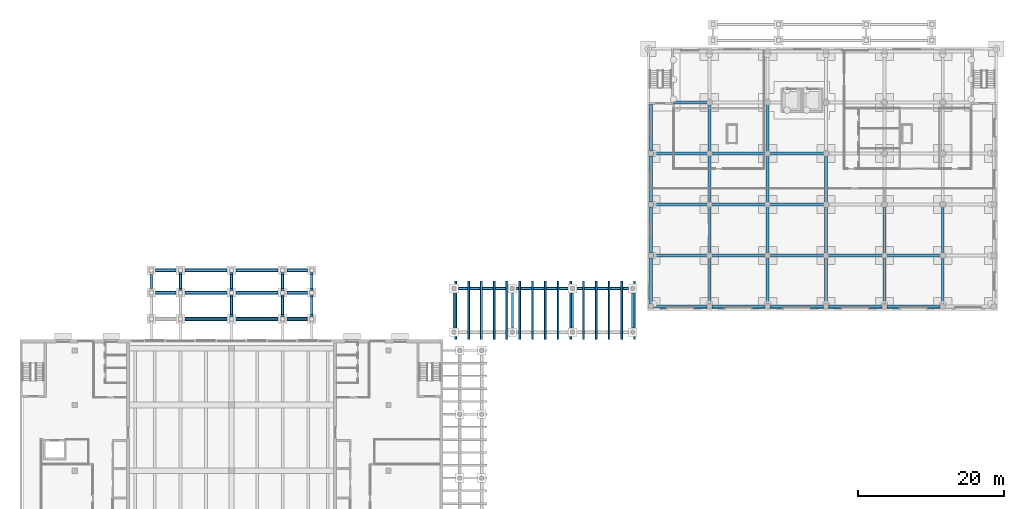
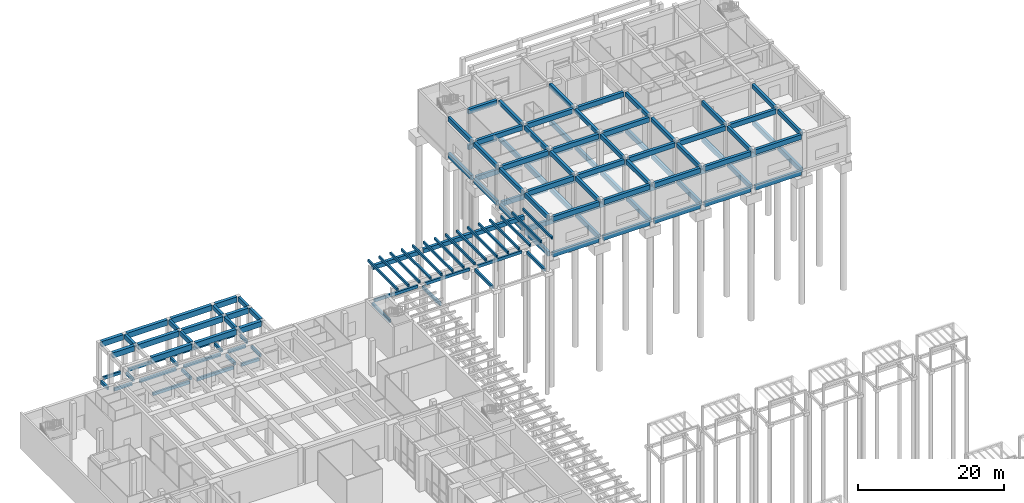
# One storey, part 22 of 51: 134 beams.
"""IFC4 building model written with IfcOpenShell, lengths in metres."""

from ifc_helpers import new_model, si_unit, direction, frame, origin, origin_2d, place, context, subcontext, project, spatial, rectangle, extrude, material, material_profile, profile_set, type_object, element, save


model = new_model("IFC4")

# Units and contexts
model_context = context("Model", 3, precision=1e-05, world=origin(), true_north=direction((0.0, 1.0)))
body_context = subcontext(model_context, "Body", "Model", "MODEL_VIEW")
ifc_project = project(units=[si_unit("LENGTHUNIT", "METRE"), si_unit("AREAUNIT", "SQUARE_METRE"), si_unit("VOLUMEUNIT", "CUBIC_METRE"), si_unit("PLANEANGLEUNIT", "RADIAN"), si_unit("MASSUNIT", "GRAM", prefix="KILO")], contexts=[model_context])

# Site, building, storey
site_placement = place(None, origin())
site = spatial("IfcSite", under=ifc_project, at=site_placement, CompositionType="ELEMENT")
building_placement = place(site_placement, origin())
building = spatial("IfcBuilding", under=site, at=building_placement, Name="Elmora Arch Market Hall", CompositionType="ELEMENT")
storey_placement = place(building_placement, origin())
storey = spatial("IfcBuildingStorey", under=building, at=storey_placement, Name="L00", CompositionType="ELEMENT", Elevation=0.0)

# Beams
ifc_material_1 = material(Name="Concrete C32/40", Category="concrete")
ifc_material_profile_1 = material_profile(ifc_material_1, rectangle(XDim=0.39990234375, YDim=0.699951171875, at=origin_2d()), Name="Canopy beam 400x700")
ifc_profile_set_1 = profile_set([ifc_material_profile_1], Name="Concrete C32/40")
beam_type_1 = type_object("IfcBeamType", Name="Canopy beam 400x700", PredefinedType="BEAM", material=ifc_profile_set_1)
beam_1_placement = place(storey_placement, frame((22.0, 132.699951171875, 5.449951171875), z_axis=(0.0, 1.0, 0.0), x_axis=(-1.0, 0.0, 0.0)))
element("IfcBeam", 1, at=beam_1_placement, inside=storey, type_object=beam_type_1, Name="Canopy beam CAN-GATE-B2 L00.3", PredefinedType="BEAM", context=body_context, shape_type="SweptSolid", body=[
    extrude(rectangle(XDim=0.39990234375, YDim=0.699951171875, at=origin_2d()), origin(), (0.0, 0.0, 1.0), 2.5),
])
beam_2_placement = place(storey_placement, frame((29.0, 129.10009765625, 5.449951171875), z_axis=(0.0, 1.0, 0.0), x_axis=(-1.0, 0.0, 0.0)))
element("IfcBeam", 2, at=beam_2_placement, inside=storey, type_object=beam_type_1, Name="Canopy beam CAN-GATE-B3 L00.2", PredefinedType="BEAM", context=body_context, shape_type="SweptSolid", body=[
    extrude(rectangle(XDim=0.39990234375, YDim=0.699951171875, at=origin_2d()), origin(), (0.0, 0.0, 1.0), 3.0),
])
beam_3_placement = place(storey_placement, frame((29.0, 132.699951171875, 5.449951171875), z_axis=(0.0, 1.0, 0.0), x_axis=(-1.0, 0.0, 0.0)))
element("IfcBeam", 3, at=beam_3_placement, inside=storey, type_object=beam_type_1, Name="Canopy beam CAN-GATE-B3 L00.3", PredefinedType="BEAM", context=body_context, shape_type="SweptSolid", body=[
    extrude(rectangle(XDim=0.39990234375, YDim=0.699951171875, at=origin_2d()), origin(), (0.0, 0.0, 1.0), 2.5),
])
beam_4_placement = place(storey_placement, frame((36.0, 129.10009765625, 5.449951171875), z_axis=(0.0, 1.0, 0.0), x_axis=(-1.0, 0.0, 0.0)))
element("IfcBeam", 4, at=beam_4_placement, inside=storey, type_object=beam_type_1, Name="Canopy beam CAN-GATE-B4 L00.2", PredefinedType="BEAM", context=body_context, shape_type="SweptSolid", body=[
    extrude(rectangle(XDim=0.39990234375, YDim=0.699951171875, at=origin_2d()), origin(), (0.0, 0.0, 1.0), 3.0),
])
beam_5_placement = place(storey_placement, frame((36.0, 132.699951171875, 5.449951171875), z_axis=(0.0, 1.0, 0.0), x_axis=(-1.0, 0.0, 0.0)))
element("IfcBeam", 5, at=beam_5_placement, inside=storey, type_object=beam_type_1, Name="Canopy beam CAN-GATE-B4 L00.3", PredefinedType="BEAM", context=body_context, shape_type="SweptSolid", body=[
    extrude(rectangle(XDim=0.39990234375, YDim=0.699951171875, at=origin_2d()), origin(), (0.0, 0.0, 1.0), 2.5),
])
beam_6_placement = place(storey_placement, frame((40.0, 129.10009765625, 5.449951171875), z_axis=(0.0, 1.0, 0.0), x_axis=(-1.0, 0.0, 0.0)))
element("IfcBeam", 6, at=beam_6_placement, inside=storey, type_object=beam_type_1, Name="Canopy beam CAN-GATE-B5 L00.2", PredefinedType="BEAM", context=body_context, shape_type="SweptSolid", body=[
    extrude(rectangle(XDim=0.39990234375, YDim=0.699951171875, at=origin_2d()), origin(), (0.0, 0.0, 1.0), 3.0),
])
beam_7_placement = place(storey_placement, frame((40.0, 132.699951171875, 5.449951171875), z_axis=(0.0, 1.0, 0.0), x_axis=(-1.0, 0.0, 0.0)))
element("IfcBeam", 7, at=beam_7_placement, inside=storey, type_object=beam_type_1, Name="Canopy beam CAN-GATE-B5 L00.3", PredefinedType="BEAM", context=body_context, shape_type="SweptSolid", body=[
    extrude(rectangle(XDim=0.39990234375, YDim=0.699951171875, at=origin_2d()), origin(), (0.0, 0.0, 1.0), 2.5),
])
ifc_material_2 = material(Name="Concrete C32/40", Category="concrete")
ifc_material_profile_2 = material_profile(ifc_material_2, rectangle(XDim=0.5, YDim=0.89990234375, at=origin_2d()), Name="Canopy girder 500x900")
ifc_profile_set_2 = profile_set([ifc_material_profile_2], Name="Concrete C32/40")
beam_type_2 = type_object("IfcBeamType", Name="Canopy girder 500x900", PredefinedType="BEAM", material=ifc_profile_set_2)
for number, where, z_axis, x_axis, name in (
    (8, (22.300048828125, 128.800048828125, 5.35009765625), (1.0, 0.0, 0.0), (0.0, 1.0, 0.0), "Canopy girder CAN-GATE-G1 L00.2"),
    (9, (29.300048828125, 128.800048828125, 5.35009765625), (1.0, 0.0, 0.0), (0.0, 1.0, 0.0), "Canopy girder CAN-GATE-G1 L00.3"),
):
    element("IfcBeam", number, at=place(storey_placement, frame(where, z_axis=z_axis, x_axis=x_axis)), inside=storey, type_object=beam_type_2, Name=name, PredefinedType="BEAM", context=body_context, shape_type="SweptSolid", body=[
        extrude(rectangle(XDim=0.5, YDim=0.89990234375, at=origin_2d()), origin(), (0.0, 0.0, 1.0), 6.39990234375),
    ])
for number, where, z_axis, x_axis, name in (
    (10, (36.300048828125, 128.800048828125, 5.35009765625), (1.0, 0.0, 0.0), (0.0, 1.0, 0.0), "Canopy girder CAN-GATE-G1 L00.4"),
    (11, (18.300048828125, 132.39990234375, 5.35009765625), (1.0, 0.0, 0.0), (0.0, 1.0, 0.0), "Canopy girder CAN-GATE-G2 L00.1"),
):
    element("IfcBeam", number, at=place(storey_placement, frame(where, z_axis=z_axis, x_axis=x_axis)), inside=storey, type_object=beam_type_2, Name=name, PredefinedType="BEAM", context=body_context, shape_type="SweptSolid", body=[
        extrude(rectangle(XDim=0.5, YDim=0.89990234375, at=origin_2d()), origin(), (0.0, 0.0, 1.0), 3.39990234375),
    ])
for number, where, z_axis, x_axis, name in (
    (12, (22.300048828125, 132.39990234375, 5.35009765625), (1.0, 0.0, 0.0), (0.0, 1.0, 0.0), "Canopy girder CAN-GATE-G2 L00.2"),
    (13, (29.300048828125, 132.39990234375, 5.35009765625), (1.0, 0.0, 0.0), (0.0, 1.0, 0.0), "Canopy girder CAN-GATE-G2 L00.3"),
):
    element("IfcBeam", number, at=place(storey_placement, frame(where, z_axis=z_axis, x_axis=x_axis)), inside=storey, type_object=beam_type_2, Name=name, PredefinedType="BEAM", context=body_context, shape_type="SweptSolid", body=[
        extrude(rectangle(XDim=0.5, YDim=0.89990234375, at=origin_2d()), origin(), (0.0, 0.0, 1.0), 6.39990234375),
    ])
for number, where, z_axis, x_axis, name in (
    (14, (36.300048828125, 132.39990234375, 5.35009765625), (1.0, 0.0, 0.0), (0.0, 1.0, 0.0), "Canopy girder CAN-GATE-G2 L00.4"),
    (15, (18.300048828125, 135.5, 5.35009765625), (1.0, 0.0, 0.0), (0.0, 1.0, 0.0), "Canopy girder CAN-GATE-G3 L00.1"),
):
    element("IfcBeam", number, at=place(storey_placement, frame(where, z_axis=z_axis, x_axis=x_axis)), inside=storey, type_object=beam_type_2, Name=name, PredefinedType="BEAM", context=body_context, shape_type="SweptSolid", body=[
        extrude(rectangle(XDim=0.5, YDim=0.89990234375, at=origin_2d()), origin(), (0.0, 0.0, 1.0), 3.39990234375),
    ])
for number, where, z_axis, x_axis, name in (
    (16, (22.300048828125, 135.5, 5.35009765625), (1.0, 0.0, 0.0), (0.0, 1.0, 0.0), "Canopy girder CAN-GATE-G3 L00.2"),
    (17, (29.300048828125, 135.5, 5.35009765625), (1.0, 0.0, 0.0), (0.0, 1.0, 0.0), "Canopy girder CAN-GATE-G3 L00.3"),
):
    element("IfcBeam", number, at=place(storey_placement, frame(where, z_axis=z_axis, x_axis=x_axis)), inside=storey, type_object=beam_type_2, Name=name, PredefinedType="BEAM", context=body_context, shape_type="SweptSolid", body=[
        extrude(rectangle(XDim=0.5, YDim=0.89990234375, at=origin_2d()), origin(), (0.0, 0.0, 1.0), 6.39990234375),
    ])
beam_8_placement = place(storey_placement, frame((36.300048828125, 135.5, 5.35009765625), z_axis=(1.0, 0.0, 0.0), x_axis=(0.0, 1.0, 0.0)))
element("IfcBeam", 18, at=beam_8_placement, inside=storey, type_object=beam_type_2, Name="Canopy girder CAN-GATE-G3 L00.4", PredefinedType="BEAM", context=body_context, shape_type="SweptSolid", body=[
    extrude(rectangle(XDim=0.5, YDim=0.89990234375, at=origin_2d()), origin(), (0.0, 0.0, 1.0), 3.39990234375),
])
ifc_material_3 = material(Name="Concrete C32/40", Category="concrete")
ifc_material_profile_3 = material_profile(ifc_material_3, rectangle(XDim=0.25, YDim=0.39990234375, at=origin_2d()), Name="Canopy joist 250x400")
ifc_profile_set_3 = profile_set([ifc_material_profile_3], Name="Concrete C32/40")
beam_type_3 = type_object("IfcBeamType", Name="Canopy joist 250x400", PredefinedType="JOIST", material=ifc_profile_set_3)
for number, where, z_axis, x_axis, name in (
    (19, (59.75, 126.0, 5.64990234375), (0.0, 1.0, 0.0), (-1.0, 0.0, 0.0), "Canopy joist PN-J1 L00.1"),
    (20, (61.5, 126.0, 5.64990234375), (0.0, 1.0, 0.0), (-1.0, 0.0, 0.0), "Canopy joist PN-J2 L00.1"),
    (21, (63.25, 126.0, 5.64990234375), (0.0, 1.0, 0.0), (-1.0, 0.0, 0.0), "Canopy joist PN-J3 L00.1"),
    (22, (65.0, 126.0, 5.64990234375), (0.0, 1.0, 0.0), (-1.0, 0.0, 0.0), "Canopy joist PN-J4 L00.1"),
    (23, (66.75, 126.0, 5.64990234375), (0.0, 1.0, 0.0), (-1.0, 0.0, 0.0), "Canopy joist PN-J5 L00.1"),
    (24, (68.5, 126.0, 5.64990234375), (0.0, 1.0, 0.0), (-1.0, 0.0, 0.0), "Canopy joist PN-J6 L00.1"),
    (25, (70.25, 126.0, 5.64990234375), (0.0, 1.0, 0.0), (-1.0, 0.0, 0.0), "Canopy joist PN-J7 L00.1"),
    (26, (72.0, 126.0, 5.64990234375), (0.0, 1.0, 0.0), (-1.0, 0.0, 0.0), "Canopy joist PN-J8 L00.1"),
    (27, (73.75, 126.0, 5.64990234375), (0.0, 1.0, 0.0), (-1.0, 0.0, 0.0), "Canopy joist PN-J9 L00.1"),
    (28, (75.5, 126.0, 5.64990234375), (0.0, 1.0, 0.0), (-1.0, 0.0, 0.0), "Canopy joist PN-J10 L00.1"),
    (29, (77.25, 126.0, 5.64990234375), (0.0, 1.0, 0.0), (-1.0, 0.0, 0.0), "Canopy joist PN-J11 L00.1"),
    (30, (79.0, 126.0, 5.64990234375), (0.0, 1.0, 0.0), (-1.0, 0.0, 0.0), "Canopy joist PN-J12 L00.1"),
    (31, (80.75, 126.0, 5.64990234375), (0.0, 1.0, 0.0), (-1.0, 0.0, 0.0), "Canopy joist PN-J13 L00.1"),
    (32, (82.5, 126.0, 5.64990234375), (0.0, 1.0, 0.0), (-1.0, 0.0, 0.0), "Canopy joist PN-J14 L00.1"),
    (33, (84.25, 126.0, 5.64990234375), (0.0, 1.0, 0.0), (-1.0, 0.0, 0.0), "Canopy joist PN-J15 L00.1"),
):
    element("IfcBeam", number, at=place(storey_placement, frame(where, z_axis=z_axis, x_axis=x_axis)), inside=storey, type_object=beam_type_3, Name=name, PredefinedType="JOIST", context=body_context, shape_type="SweptSolid", body=[
        extrude(rectangle(XDim=0.25, YDim=0.39990234375, at=origin_2d()), origin(), (0.0, 0.0, 1.0), 8.0),
    ])
ifc_material_4 = material(Name="Concrete C32/40", Category="concrete")
ifc_material_profile_4 = material_profile(ifc_material_4, rectangle(XDim=0.39990234375, YDim=0.800048828125, at=origin_2d()), Name="Ground beam 400x800")
ifc_profile_set_4 = profile_set([ifc_material_profile_4], Name="Concrete C32/40")
beam_type_4 = type_object("IfcBeamType", Name="Ground beam 400x800", PredefinedType="BEAM", material=ifc_profile_set_4)
for number, where, z_axis, x_axis, name in (
    (34, (86.85009765625, 130.5, -0.699951171875), (1.0, 0.0, 0.0), (0.0, 1.0, 0.0), "Ground beam SGX1 L00.1"),
    (35, (94.85009765625, 130.5, -0.699951171875), (1.0, 0.0, 0.0), (0.0, 1.0, 0.0), "Ground beam SGX1 L00.2"),
    (36, (102.85009765625, 130.5, -0.699951171875), (1.0, 0.0, 0.0), (0.0, 1.0, 0.0), "Ground beam SGX1 L00.3"),
    (37, (110.85009765625, 130.5, -0.699951171875), (1.0, 0.0, 0.0), (0.0, 1.0, 0.0), "Ground beam SGX1 L00.4"),
    (38, (118.85009765625, 130.5, -0.699951171875), (1.0, 0.0, 0.0), (0.0, 1.0, 0.0), "Ground beam SGX1 L00.5"),
    (39, (86.85009765625, 137.5, -0.699951171875), (1.0, 0.0, 0.0), (0.0, 1.0, 0.0), "Ground beam SGX2 L00.1"),
    (40, (94.85009765625, 137.5, -0.699951171875), (1.0, 0.0, 0.0), (0.0, 1.0, 0.0), "Ground beam SGX2 L00.2"),
    (41, (102.85009765625, 137.5, -0.699951171875), (1.0, 0.0, 0.0), (0.0, 1.0, 0.0), "Ground beam SGX2 L00.3"),
    (42, (110.85009765625, 137.5, -0.699951171875), (1.0, 0.0, 0.0), (0.0, 1.0, 0.0), "Ground beam SGX2 L00.4"),
    (43, (118.85009765625, 137.5, -0.699951171875), (1.0, 0.0, 0.0), (0.0, 1.0, 0.0), "Ground beam SGX2 L00.5"),
    (44, (86.85009765625, 144.5, -0.699951171875), (1.0, 0.0, 0.0), (0.0, 1.0, 0.0), "Ground beam SGX3 L00.1"),
    (45, (94.85009765625, 144.5, -0.699951171875), (1.0, 0.0, 0.0), (0.0, 1.0, 0.0), "Ground beam SGX3 L00.2"),
    (46, (102.85009765625, 144.5, -0.699951171875), (1.0, 0.0, 0.0), (0.0, 1.0, 0.0), "Ground beam SGX3 L00.3"),
    (47, (86.85009765625, 151.5, -0.699951171875), (1.0, 0.0, 0.0), (0.0, 1.0, 0.0), "Ground beam SGX4 L00.1"),
    (48, (94.85009765625, 151.5, -0.699951171875), (1.0, 0.0, 0.0), (0.0, 1.0, 0.0), "Ground beam SGX4 L00.2"),
    (49, (102.85009765625, 151.5, -0.699951171875), (1.0, 0.0, 0.0), (0.0, 1.0, 0.0), "Ground beam SGX4 L00.3"),
):
    element("IfcBeam", number, at=place(storey_placement, frame(where, z_axis=z_axis, x_axis=x_axis)), inside=storey, type_object=beam_type_4, Name=name, PredefinedType="BEAM", context=body_context, shape_type="SweptSolid", body=[
        extrude(rectangle(XDim=0.39990234375, YDim=0.800048828125, at=origin_2d()), origin(), (0.0, 0.0, 1.0), 7.2998046875),
    ])
beam_9_placement = place(storey_placement, frame((89.60009765625, 158.5, -0.699951171875), z_axis=(1.0, 0.0, 0.0), x_axis=(0.0, 1.0, 0.0)))
element("IfcBeam", 50, at=beam_9_placement, inside=storey, type_object=beam_type_4, Name="Ground beam SGX5 L00.1", PredefinedType="BEAM", context=body_context, shape_type="SweptSolid", body=[
    extrude(rectangle(XDim=0.39990234375, YDim=0.800048828125, at=origin_2d()), origin(), (0.0, 0.0, 1.0), 4.5498046875),
])
for number, where, z_axis, x_axis, name in (
    (51, (86.5, 130.85009765625, -0.699951171875), (0.0, 1.0, 0.0), (-1.0, 0.0, 0.0), "Ground beam SGY1 L00.1"),
    (52, (86.5, 137.85009765625, -0.699951171875), (0.0, 1.0, 0.0), (-1.0, 0.0, 0.0), "Ground beam SGY1 L00.2"),
    (53, (86.5, 144.85009765625, -0.699951171875), (0.0, 1.0, 0.0), (-1.0, 0.0, 0.0), "Ground beam SGY1 L00.3"),
):
    element("IfcBeam", number, at=place(storey_placement, frame(where, z_axis=z_axis, x_axis=x_axis)), inside=storey, type_object=beam_type_4, Name=name, PredefinedType="BEAM", context=body_context, shape_type="SweptSolid", body=[
        extrude(rectangle(XDim=0.39990234375, YDim=0.800048828125, at=origin_2d()), origin(), (0.0, 0.0, 1.0), 6.2998046875),
    ])
beam_10_placement = place(storey_placement, frame((86.5, 151.85009765625, -0.699951171875), z_axis=(0.0, 1.0, 0.0), x_axis=(-1.0, 0.0, 0.0)))
element("IfcBeam", 54, at=beam_10_placement, inside=storey, type_object=beam_type_4, Name="Ground beam SGY1 L00.4", PredefinedType="BEAM", context=body_context, shape_type="SweptSolid", body=[
    extrude(rectangle(XDim=0.39990234375, YDim=0.800048828125, at=origin_2d()), origin(), (0.0, 0.0, 1.0), 6.349853515625),
])
for number, where, z_axis, x_axis, name in (
    (55, (94.5, 130.85009765625, -0.699951171875), (0.0, 1.0, 0.0), (-1.0, 0.0, 0.0), "Ground beam SGY2 L00.1"),
    (56, (94.5, 137.85009765625, -0.699951171875), (0.0, 1.0, 0.0), (-1.0, 0.0, 0.0), "Ground beam SGY2 L00.2"),
    (57, (94.5, 144.85009765625, -0.699951171875), (0.0, 1.0, 0.0), (-1.0, 0.0, 0.0), "Ground beam SGY2 L00.3"),
    (58, (94.5, 151.85009765625, -0.699951171875), (0.0, 1.0, 0.0), (-1.0, 0.0, 0.0), "Ground beam SGY2 L00.4"),
    (59, (102.5, 130.85009765625, -0.699951171875), (0.0, 1.0, 0.0), (-1.0, 0.0, 0.0), "Ground beam SGY3 L00.1"),
    (60, (102.5, 137.85009765625, -0.699951171875), (0.0, 1.0, 0.0), (-1.0, 0.0, 0.0), "Ground beam SGY3 L00.2"),
    (61, (102.5, 144.85009765625, -0.699951171875), (0.0, 1.0, 0.0), (-1.0, 0.0, 0.0), "Ground beam SGY3 L00.3"),
    (62, (102.5, 151.85009765625, -0.699951171875), (0.0, 1.0, 0.0), (-1.0, 0.0, 0.0), "Ground beam SGY3 L00.4"),
    (63, (110.5, 130.85009765625, -0.699951171875), (0.0, 1.0, 0.0), (-1.0, 0.0, 0.0), "Ground beam SGY4 L00.1"),
    (64, (110.5, 137.85009765625, -0.699951171875), (0.0, 1.0, 0.0), (-1.0, 0.0, 0.0), "Ground beam SGY4 L00.2"),
    (65, (110.5, 144.85009765625, -0.699951171875), (0.0, 1.0, 0.0), (-1.0, 0.0, 0.0), "Ground beam SGY4 L00.3"),
    (66, (118.5, 130.85009765625, -0.699951171875), (0.0, 1.0, 0.0), (-1.0, 0.0, 0.0), "Ground beam SGY5 L00.1"),
    (67, (118.5, 137.85009765625, -0.699951171875), (0.0, 1.0, 0.0), (-1.0, 0.0, 0.0), "Ground beam SGY5 L00.2"),
    (68, (126.5, 130.85009765625, -0.699951171875), (0.0, 1.0, 0.0), (-1.0, 0.0, 0.0), "Ground beam SGY6 L00.1"),
    (69, (126.5, 137.85009765625, -0.699951171875), (0.0, 1.0, 0.0), (-1.0, 0.0, 0.0), "Ground beam SGY6 L00.2"),
):
    element("IfcBeam", number, at=place(storey_placement, frame(where, z_axis=z_axis, x_axis=x_axis)), inside=storey, type_object=beam_type_4, Name=name, PredefinedType="BEAM", context=body_context, shape_type="SweptSolid", body=[
        extrude(rectangle(XDim=0.39990234375, YDim=0.800048828125, at=origin_2d()), origin(), (0.0, 0.0, 1.0), 6.2998046875),
    ])
ifc_material_5 = material(Name="Concrete C32/40", Category="concrete")
ifc_material_profile_5 = material_profile(ifc_material_5, rectangle(XDim=0.300048828125, YDim=0.5, at=origin_2d()), Name="Pad tie beam 300x500")
ifc_profile_set_5 = profile_set([ifc_material_profile_5], Name="Concrete C32/40")
beam_type_5 = type_object("IfcBeamType", Name="Pad tie beam 300x500", PredefinedType="BEAM", material=ifc_profile_set_5)
for number, where, z_axis, x_axis, name in (
    (70, (22.60009765625, 128.800048828125, -0.550048828125), (1.0, 0.0, 0.0), (0.0, 1.0, 0.0), "Pad tie beam 002"),
    (71, (29.60009765625, 128.800048828125, -0.550048828125), (1.0, 0.0, 0.0), (0.0, 1.0, 0.0), "Pad tie beam 003"),
):
    element("IfcBeam", number, at=place(storey_placement, frame(where, z_axis=z_axis, x_axis=x_axis)), inside=storey, type_object=beam_type_5, Name=name, PredefinedType="BEAM", context=body_context, shape_type="SweptSolid", body=[
        extrude(rectangle(XDim=0.300048828125, YDim=0.5, at=origin_2d()), origin(), (0.0, 0.0, 1.0), 5.7998046875),
    ])
for number, where, z_axis, x_axis, name in (
    (72, (36.60009765625, 128.800048828125, -0.550048828125), (1.0, 0.0, 0.0), (0.0, 1.0, 0.0), "Pad tie beam 004"),
    (73, (18.60009765625, 132.39990234375, -0.550048828125), (1.0, 0.0, 0.0), (0.0, 1.0, 0.0), "Pad tie beam 005"),
):
    element("IfcBeam", number, at=place(storey_placement, frame(where, z_axis=z_axis, x_axis=x_axis)), inside=storey, type_object=beam_type_5, Name=name, PredefinedType="BEAM", context=body_context, shape_type="SweptSolid", body=[
        extrude(rectangle(XDim=0.300048828125, YDim=0.5, at=origin_2d()), origin(), (0.0, 0.0, 1.0), 2.7998046875),
    ])
for number, where, z_axis, x_axis, name in (
    (74, (22.60009765625, 132.39990234375, -0.550048828125), (1.0, 0.0, 0.0), (0.0, 1.0, 0.0), "Pad tie beam 006"),
    (75, (29.60009765625, 132.39990234375, -0.550048828125), (1.0, 0.0, 0.0), (0.0, 1.0, 0.0), "Pad tie beam 007"),
):
    element("IfcBeam", number, at=place(storey_placement, frame(where, z_axis=z_axis, x_axis=x_axis)), inside=storey, type_object=beam_type_5, Name=name, PredefinedType="BEAM", context=body_context, shape_type="SweptSolid", body=[
        extrude(rectangle(XDim=0.300048828125, YDim=0.5, at=origin_2d()), origin(), (0.0, 0.0, 1.0), 5.7998046875),
    ])
for number, where, z_axis, x_axis, name in (
    (76, (36.60009765625, 132.39990234375, -0.550048828125), (1.0, 0.0, 0.0), (0.0, 1.0, 0.0), "Pad tie beam 008"),
    (77, (18.60009765625, 135.5, -0.550048828125), (1.0, 0.0, 0.0), (0.0, 1.0, 0.0), "Pad tie beam 009"),
):
    element("IfcBeam", number, at=place(storey_placement, frame(where, z_axis=z_axis, x_axis=x_axis)), inside=storey, type_object=beam_type_5, Name=name, PredefinedType="BEAM", context=body_context, shape_type="SweptSolid", body=[
        extrude(rectangle(XDim=0.300048828125, YDim=0.5, at=origin_2d()), origin(), (0.0, 0.0, 1.0), 2.7998046875),
    ])
for number, where, z_axis, x_axis, name in (
    (78, (22.60009765625, 135.5, -0.550048828125), (1.0, 0.0, 0.0), (0.0, 1.0, 0.0), "Pad tie beam 010"),
    (79, (29.60009765625, 135.5, -0.550048828125), (1.0, 0.0, 0.0), (0.0, 1.0, 0.0), "Pad tie beam 011"),
):
    element("IfcBeam", number, at=place(storey_placement, frame(where, z_axis=z_axis, x_axis=x_axis)), inside=storey, type_object=beam_type_5, Name=name, PredefinedType="BEAM", context=body_context, shape_type="SweptSolid", body=[
        extrude(rectangle(XDim=0.300048828125, YDim=0.5, at=origin_2d()), origin(), (0.0, 0.0, 1.0), 5.7998046875),
    ])
beam_11_placement = place(storey_placement, frame((36.60009765625, 135.5, -0.550048828125), z_axis=(1.0, 0.0, 0.0), x_axis=(0.0, 1.0, 0.0)))
element("IfcBeam", 80, at=beam_11_placement, inside=storey, type_object=beam_type_5, Name="Pad tie beam 012", PredefinedType="BEAM", context=body_context, shape_type="SweptSolid", body=[
    extrude(rectangle(XDim=0.300048828125, YDim=0.5, at=origin_2d()), origin(), (0.0, 0.0, 1.0), 2.7998046875),
])
for number, where, z_axis, x_axis, name in (
    (81, (18.0, 133.0, -0.550048828125), (0.0, 1.0, 0.0), (-1.0, 0.0, 0.0), "Pad tie beam 014"),
    (82, (22.0, 133.0, -0.550048828125), (0.0, 1.0, 0.0), (-1.0, 0.0, 0.0), "Pad tie beam 016"),
):
    element("IfcBeam", number, at=place(storey_placement, frame(where, z_axis=z_axis, x_axis=x_axis)), inside=storey, type_object=beam_type_5, Name=name, PredefinedType="BEAM", context=body_context, shape_type="SweptSolid", body=[
        extrude(rectangle(XDim=0.300048828125, YDim=0.5, at=origin_2d()), origin(), (0.0, 0.0, 1.0), 1.89990234375),
    ])
beam_12_placement = place(storey_placement, frame((29.0, 129.39990234375, -0.550048828125), z_axis=(0.0, 1.0, 0.0), x_axis=(-1.0, 0.0, 0.0)))
element("IfcBeam", 83, at=beam_12_placement, inside=storey, type_object=beam_type_5, Name="Pad tie beam 017", PredefinedType="BEAM", context=body_context, shape_type="SweptSolid", body=[
    extrude(rectangle(XDim=0.300048828125, YDim=0.5, at=origin_2d()), origin(), (0.0, 0.0, 1.0), 2.400146484375),
])
beam_13_placement = place(storey_placement, frame((29.0, 133.0, -0.550048828125), z_axis=(0.0, 1.0, 0.0), x_axis=(-1.0, 0.0, 0.0)))
element("IfcBeam", 84, at=beam_13_placement, inside=storey, type_object=beam_type_5, Name="Pad tie beam 018", PredefinedType="BEAM", context=body_context, shape_type="SweptSolid", body=[
    extrude(rectangle(XDim=0.300048828125, YDim=0.5, at=origin_2d()), origin(), (0.0, 0.0, 1.0), 1.89990234375),
])
beam_14_placement = place(storey_placement, frame((36.0, 129.39990234375, -0.550048828125), z_axis=(0.0, 1.0, 0.0), x_axis=(-1.0, 0.0, 0.0)))
element("IfcBeam", 85, at=beam_14_placement, inside=storey, type_object=beam_type_5, Name="Pad tie beam 019", PredefinedType="BEAM", context=body_context, shape_type="SweptSolid", body=[
    extrude(rectangle(XDim=0.300048828125, YDim=0.5, at=origin_2d()), origin(), (0.0, 0.0, 1.0), 2.400146484375),
])
beam_15_placement = place(storey_placement, frame((36.0, 133.0, -0.550048828125), z_axis=(0.0, 1.0, 0.0), x_axis=(-1.0, 0.0, 0.0)))
element("IfcBeam", 86, at=beam_15_placement, inside=storey, type_object=beam_type_5, Name="Pad tie beam 020", PredefinedType="BEAM", context=body_context, shape_type="SweptSolid", body=[
    extrude(rectangle(XDim=0.300048828125, YDim=0.5, at=origin_2d()), origin(), (0.0, 0.0, 1.0), 1.89990234375),
])
beam_16_placement = place(storey_placement, frame((40.0, 129.39990234375, -0.550048828125), z_axis=(0.0, 1.0, 0.0), x_axis=(-1.0, 0.0, 0.0)))
element("IfcBeam", 87, at=beam_16_placement, inside=storey, type_object=beam_type_5, Name="Pad tie beam 021", PredefinedType="BEAM", context=body_context, shape_type="SweptSolid", body=[
    extrude(rectangle(XDim=0.300048828125, YDim=0.5, at=origin_2d()), origin(), (0.0, 0.0, 1.0), 2.400146484375),
])
beam_17_placement = place(storey_placement, frame((40.0, 133.0, -0.550048828125), z_axis=(0.0, 1.0, 0.0), x_axis=(-1.0, 0.0, 0.0)))
element("IfcBeam", 88, at=beam_17_placement, inside=storey, type_object=beam_type_5, Name="Pad tie beam 022", PredefinedType="BEAM", context=body_context, shape_type="SweptSolid", body=[
    extrude(rectangle(XDim=0.300048828125, YDim=0.5, at=origin_2d()), origin(), (0.0, 0.0, 1.0), 1.89990234375),
])
beam_18_placement = place(storey_placement, frame((60.10009765625, 133.0, -0.550048828125), z_axis=(1.0, 0.0, 0.0), x_axis=(0.0, 1.0, 0.0)))
element("IfcBeam", 89, at=beam_18_placement, inside=storey, type_object=beam_type_5, Name="Pad tie beam 073", PredefinedType="BEAM", context=body_context, shape_type="SweptSolid", body=[
    extrude(rectangle(XDim=0.300048828125, YDim=0.5, at=origin_2d()), origin(), (0.0, 0.0, 1.0), 6.7998046875),
])
for number, where, z_axis, x_axis, name in (
    (90, (68.10009765625, 133.0, -0.550048828125), (1.0, 0.0, 0.0), (0.0, 1.0, 0.0), "Pad tie beam 074"),
    (91, (76.35009765625, 133.0, -0.550048828125), (1.0, 0.0, 0.0), (0.0, 1.0, 0.0), "Pad tie beam 075"),
):
    element("IfcBeam", number, at=place(storey_placement, frame(where, z_axis=z_axis, x_axis=x_axis)), inside=storey, type_object=beam_type_5, Name=name, PredefinedType="BEAM", context=body_context, shape_type="SweptSolid", body=[
        extrude(rectangle(XDim=0.300048828125, YDim=0.5, at=origin_2d()), origin(), (0.0, 0.0, 1.0), 7.0498046875),
    ])
for number, where, z_axis, x_axis, name in (
    (92, (59.5, 127.60009765625, -0.550048828125), (0.0, 1.0, 0.0), (-1.0, 0.0, 0.0), "Pad tie beam 076"),
    (93, (67.5, 127.60009765625, -0.550048828125), (0.0, 1.0, 0.0), (-1.0, 0.0, 0.0), "Pad tie beam 077"),
    (94, (75.75, 127.60009765625, -0.550048828125), (0.0, 1.0, 0.0), (-1.0, 0.0, 0.0), "Pad tie beam 078"),
    (95, (84.0, 127.60009765625, -0.550048828125), (0.0, 1.0, 0.0), (-1.0, 0.0, 0.0), "Pad tie beam 079"),
):
    element("IfcBeam", number, at=place(storey_placement, frame(where, z_axis=z_axis, x_axis=x_axis)), inside=storey, type_object=beam_type_5, Name=name, PredefinedType="BEAM", context=body_context, shape_type="SweptSolid", body=[
        extrude(rectangle(XDim=0.300048828125, YDim=0.5, at=origin_2d()), origin(), (0.0, 0.0, 1.0), 4.7998046875),
    ])
ifc_material_6 = material(Name="Concrete C32/40", Category="concrete")
ifc_material_profile_6 = material_profile(ifc_material_6, rectangle(XDim=0.449951171875, YDim=0.699951171875, at=origin_2d()), Name="Passage girder 450x700")
ifc_profile_set_6 = profile_set([ifc_material_profile_6], Name="Concrete C32/40")
beam_type_6 = type_object("IfcBeamType", Name="Passage girder 450x700", PredefinedType="BEAM", material=ifc_profile_set_6)
beam_19_placement = place(storey_placement, frame((59.75, 133.0, 5.10009765625), z_axis=(1.0, 0.0, 0.0), x_axis=(0.0, 1.0, 0.0)))
element("IfcBeam", 96, at=beam_19_placement, inside=storey, type_object=beam_type_6, Name="Passage girder PASS-N-G2 L00.1", PredefinedType="BEAM", context=body_context, shape_type="SweptSolid", body=[
    extrude(rectangle(XDim=0.449951171875, YDim=0.699951171875, at=origin_2d()), origin(), (0.0, 0.0, 1.0), 7.5),
])
for number, where, z_axis, x_axis, name in (
    (97, (67.75, 133.0, 5.10009765625), (1.0, 0.0, 0.0), (0.0, 1.0, 0.0), "Passage girder PASS-N-G2 L00.2"),
    (98, (76.0, 133.0, 5.10009765625), (1.0, 0.0, 0.0), (0.0, 1.0, 0.0), "Passage girder PASS-N-G2 L00.3"),
):
    element("IfcBeam", number, at=place(storey_placement, frame(where, z_axis=z_axis, x_axis=x_axis)), inside=storey, type_object=beam_type_6, Name=name, PredefinedType="BEAM", context=body_context, shape_type="SweptSolid", body=[
        extrude(rectangle(XDim=0.449951171875, YDim=0.699951171875, at=origin_2d()), origin(), (0.0, 0.0, 1.0), 7.75),
    ])
ifc_material_7 = material(Name="Concrete C32/40", Category="concrete")
ifc_material_profile_7 = material_profile(ifc_material_7, rectangle(XDim=0.39990234375, YDim=0.699951171875, at=origin_2d()), Name="School beam 400x700")
ifc_profile_set_7 = profile_set([ifc_material_profile_7], Name="Concrete C32/40")
beam_type_7 = type_object("IfcBeamType", Name="School beam 400x700", PredefinedType="BEAM", material=ifc_profile_set_7)
for number, where, z_axis, x_axis, name in (
    (99, (86.5, 130.85009765625, 5.35009765625), (0.0, 1.0, 0.0), (-1.0, 0.0, 0.0), "School beam SY1 L00.1"),
    (100, (86.5, 137.85009765625, 5.35009765625), (0.0, 1.0, 0.0), (-1.0, 0.0, 0.0), "School beam SY1 L00.2"),
    (101, (86.5, 144.85009765625, 5.35009765625), (0.0, 1.0, 0.0), (-1.0, 0.0, 0.0), "School beam SY1 L00.3"),
):
    element("IfcBeam", number, at=place(storey_placement, frame(where, z_axis=z_axis, x_axis=x_axis)), inside=storey, type_object=beam_type_7, Name=name, PredefinedType="BEAM", context=body_context, shape_type="SweptSolid", body=[
        extrude(rectangle(XDim=0.39990234375, YDim=0.699951171875, at=origin_2d()), origin(), (0.0, 0.0, 1.0), 6.2998046875),
    ])
beam_20_placement = place(storey_placement, frame((86.5, 151.85009765625, 5.35009765625), z_axis=(0.0, 1.0, 0.0), x_axis=(-1.0, 0.0, 0.0)))
element("IfcBeam", 102, at=beam_20_placement, inside=storey, type_object=beam_type_7, Name="School beam SY1 L00.4", PredefinedType="BEAM", context=body_context, shape_type="SweptSolid", body=[
    extrude(rectangle(XDim=0.39990234375, YDim=0.699951171875, at=origin_2d()), origin(), (0.0, 0.0, 1.0), 6.349853515625),
])
for number, where, z_axis, x_axis, name in (
    (103, (94.5, 130.85009765625, 5.35009765625), (0.0, 1.0, 0.0), (-1.0, 0.0, 0.0), "School beam SY2 L00.1"),
    (104, (94.5, 137.85009765625, 5.35009765625), (0.0, 1.0, 0.0), (-1.0, 0.0, 0.0), "School beam SY2 L00.2"),
    (105, (94.5, 144.85009765625, 5.35009765625), (0.0, 1.0, 0.0), (-1.0, 0.0, 0.0), "School beam SY2 L00.3"),
    (106, (94.5, 151.85009765625, 5.35009765625), (0.0, 1.0, 0.0), (-1.0, 0.0, 0.0), "School beam SY2 L00.4"),
    (107, (102.5, 130.85009765625, 5.35009765625), (0.0, 1.0, 0.0), (-1.0, 0.0, 0.0), "School beam SY3 L00.1"),
    (108, (102.5, 137.85009765625, 5.35009765625), (0.0, 1.0, 0.0), (-1.0, 0.0, 0.0), "School beam SY3 L00.2"),
    (109, (102.5, 144.85009765625, 5.35009765625), (0.0, 1.0, 0.0), (-1.0, 0.0, 0.0), "School beam SY3 L00.3"),
    (110, (102.5, 151.85009765625, 5.35009765625), (0.0, 1.0, 0.0), (-1.0, 0.0, 0.0), "School beam SY3 L00.4"),
    (111, (110.5, 130.85009765625, 5.35009765625), (0.0, 1.0, 0.0), (-1.0, 0.0, 0.0), "School beam SY4 L00.1"),
    (112, (110.5, 137.85009765625, 5.35009765625), (0.0, 1.0, 0.0), (-1.0, 0.0, 0.0), "School beam SY4 L00.2"),
    (113, (110.5, 144.85009765625, 5.35009765625), (0.0, 1.0, 0.0), (-1.0, 0.0, 0.0), "School beam SY4 L00.3"),
    (114, (118.5, 130.85009765625, 5.35009765625), (0.0, 1.0, 0.0), (-1.0, 0.0, 0.0), "School beam SY5 L00.1"),
    (115, (118.5, 137.85009765625, 5.35009765625), (0.0, 1.0, 0.0), (-1.0, 0.0, 0.0), "School beam SY5 L00.2"),
    (116, (126.5, 130.85009765625, 5.35009765625), (0.0, 1.0, 0.0), (-1.0, 0.0, 0.0), "School beam SY6 L00.1"),
    (117, (126.5, 137.85009765625, 5.35009765625), (0.0, 1.0, 0.0), (-1.0, 0.0, 0.0), "School beam SY6 L00.2"),
):
    element("IfcBeam", number, at=place(storey_placement, frame(where, z_axis=z_axis, x_axis=x_axis)), inside=storey, type_object=beam_type_7, Name=name, PredefinedType="BEAM", context=body_context, shape_type="SweptSolid", body=[
        extrude(rectangle(XDim=0.39990234375, YDim=0.699951171875, at=origin_2d()), origin(), (0.0, 0.0, 1.0), 6.2998046875),
    ])
ifc_material_8 = material(Name="Concrete C32/40", Category="concrete")
ifc_material_profile_8 = material_profile(ifc_material_8, rectangle(XDim=0.449951171875, YDim=0.800048828125, at=origin_2d()), Name="School girder 450x800")
ifc_profile_set_8 = profile_set([ifc_material_profile_8], Name="Concrete C32/40")
beam_type_8 = type_object("IfcBeamType", Name="School girder 450x800", PredefinedType="BEAM", material=ifc_profile_set_8)
for number, where, z_axis, x_axis, name in (
    (118, (86.85009765625, 130.5, 5.300048828125), (1.0, 0.0, 0.0), (0.0, 1.0, 0.0), "School girder SX1 L00.1"),
    (119, (94.85009765625, 130.5, 5.300048828125), (1.0, 0.0, 0.0), (0.0, 1.0, 0.0), "School girder SX1 L00.2"),
    (120, (102.85009765625, 130.5, 5.300048828125), (1.0, 0.0, 0.0), (0.0, 1.0, 0.0), "School girder SX1 L00.3"),
    (121, (110.85009765625, 130.5, 5.300048828125), (1.0, 0.0, 0.0), (0.0, 1.0, 0.0), "School girder SX1 L00.4"),
    (122, (118.85009765625, 130.5, 5.300048828125), (1.0, 0.0, 0.0), (0.0, 1.0, 0.0), "School girder SX1 L00.5"),
    (123, (86.85009765625, 137.5, 5.300048828125), (1.0, 0.0, 0.0), (0.0, 1.0, 0.0), "School girder SX2 L00.1"),
    (124, (94.85009765625, 137.5, 5.300048828125), (1.0, 0.0, 0.0), (0.0, 1.0, 0.0), "School girder SX2 L00.2"),
    (125, (102.85009765625, 137.5, 5.300048828125), (1.0, 0.0, 0.0), (0.0, 1.0, 0.0), "School girder SX2 L00.3"),
    (126, (110.85009765625, 137.5, 5.300048828125), (1.0, 0.0, 0.0), (0.0, 1.0, 0.0), "School girder SX2 L00.4"),
    (127, (118.85009765625, 137.5, 5.300048828125), (1.0, 0.0, 0.0), (0.0, 1.0, 0.0), "School girder SX2 L00.5"),
    (128, (86.85009765625, 144.5, 5.300048828125), (1.0, 0.0, 0.0), (0.0, 1.0, 0.0), "School girder SX3 L00.1"),
    (129, (94.85009765625, 144.5, 5.300048828125), (1.0, 0.0, 0.0), (0.0, 1.0, 0.0), "School girder SX3 L00.2"),
    (130, (102.85009765625, 144.5, 5.300048828125), (1.0, 0.0, 0.0), (0.0, 1.0, 0.0), "School girder SX3 L00.3"),
    (131, (86.85009765625, 151.5, 5.300048828125), (1.0, 0.0, 0.0), (0.0, 1.0, 0.0), "School girder SX4 L00.1"),
    (132, (94.85009765625, 151.5, 5.300048828125), (1.0, 0.0, 0.0), (0.0, 1.0, 0.0), "School girder SX4 L00.2"),
    (133, (102.85009765625, 151.5, 5.300048828125), (1.0, 0.0, 0.0), (0.0, 1.0, 0.0), "School girder SX4 L00.3"),
):
    element("IfcBeam", number, at=place(storey_placement, frame(where, z_axis=z_axis, x_axis=x_axis)), inside=storey, type_object=beam_type_8, Name=name, PredefinedType="BEAM", context=body_context, shape_type="SweptSolid", body=[
        extrude(rectangle(XDim=0.449951171875, YDim=0.800048828125, at=origin_2d()), origin(), (0.0, 0.0, 1.0), 7.2998046875),
    ])
beam_21_placement = place(storey_placement, frame((89.60009765625, 158.5, 5.300048828125), z_axis=(1.0, 0.0, 0.0), x_axis=(0.0, 1.0, 0.0)))
element("IfcBeam", 134, at=beam_21_placement, inside=storey, type_object=beam_type_8, Name="School girder SX5 L00.1", PredefinedType="BEAM", context=body_context, shape_type="SweptSolid", body=[
    extrude(rectangle(XDim=0.449951171875, YDim=0.800048828125, at=origin_2d()), origin(), (0.0, 0.0, 1.0), 4.5498046875),
])

save(model, "model.ifc")
